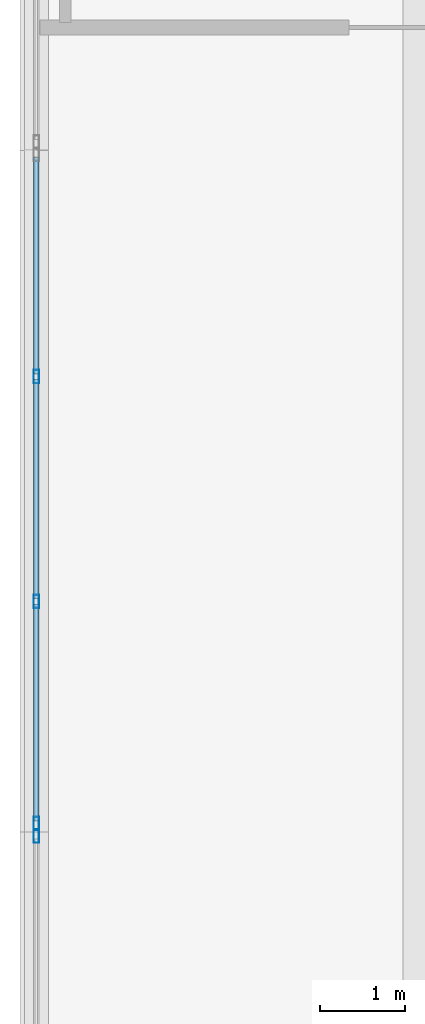
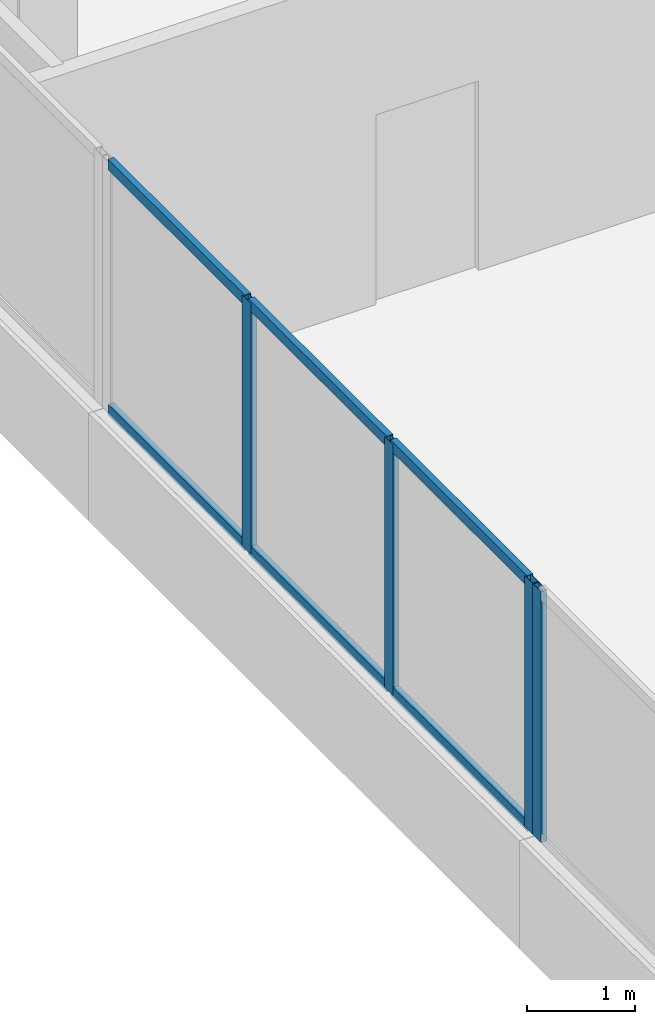
# One storey, part 4 of 66: 10 members, 2 elements without a shape of their own.
"""IFC4 building model written with IfcOpenShell, lengths in metres."""

from ifc_helpers import new_model, si_unit, direction, frame, origin, origin_2d, place, context, subcontext, project, spatial, hollow_rectangle, extrude, material, material_profile, profile_set, type_object, element, aggregate, save


model = new_model("IFC4")

# Units and contexts
model_context = context("Model", 3, precision=1e-05, world=origin(), true_north=direction((0.0, 1.0)))
body_context = subcontext(model_context, "Body", "Model", "MODEL_VIEW")
ifc_project = project(units=[si_unit("LENGTHUNIT", "METRE"), si_unit("AREAUNIT", "SQUARE_METRE"), si_unit("VOLUMEUNIT", "CUBIC_METRE"), si_unit("PLANEANGLEUNIT", "RADIAN"), si_unit("MASSUNIT", "GRAM", prefix="KILO")], contexts=[model_context])

# Site, building, storey
site_placement = place(None, origin())
site = spatial("IfcSite", under=ifc_project, at=site_placement, CompositionType="ELEMENT")
building_placement = place(site_placement, origin())
building = spatial("IfcBuilding", under=site, at=building_placement, Name="Selatvlak General Hospital", CompositionType="ELEMENT")
storey_placement = place(building_placement, frame((0.0, 0.0, 31.35009765625)))
storey = spatial("IfcBuildingStorey", under=building, at=storey_placement, Name="L07", CompositionType="ELEMENT", Elevation=31.35009765625)

# Curtain wall, member
ifc_material_1 = material(Name="Solar-control Low-E double glazing", Category="glass")
curtain_wall_type_1 = type_object("IfcCurtainWallType", Name="CW-CW-01", PredefinedType="USERDEFINED", material=ifc_material_1)
curtain_wall_1_placement = place(storey_placement, origin())
curtain_wall_1 = element("IfcCurtainWall", 1, at=curtain_wall_1_placement, inside=storey, type_object=curtain_wall_type_1, Name="Glazed facade curtain wall CW-L07-0639", ObjectType="UNITISED CURTAIN WALL", PredefinedType="USERDEFINED")
ifc_material_2 = material(Name="Dark anodised aluminium mullion", Category="aluminium")
ifc_material_profile_1 = material_profile(ifc_material_2, hollow_rectangle(XDim=0.06494140625, YDim=0.159912109375, WallThickness=0.00390625, at=origin_2d()), Name="AL-MUL 65x160x4")
ifc_profile_set_1 = profile_set([ifc_material_profile_1], Name="Dark anodised aluminium mullion")
member_type_1 = type_object("IfcMemberType", Name="CWM-01", PredefinedType="MULLION", material=ifc_profile_set_1)
member_1_placement = place(storey_placement, frame((22.800048828125, 95.952392578125, 0.93994140625), z_axis=(0.0, 0.0, 1.0), x_axis=(-1.0, 0.0, 0.0)))
member_1 = element("IfcMember", 2, at=member_1_placement, type_object=member_type_1, Name="CW-01 mullion 4", PredefinedType="MULLION", context=body_context, shape_type="SweptSolid", body=[
    extrude(hollow_rectangle(XDim=0.06494140625, YDim=0.159912109375, WallThickness=0.00390625, at=origin_2d()), origin(), (0.0, 0.0, 1.0), 2.844970703125),
])
aggregate(curtain_wall_1, [member_1])

# Curtain wall, members
curtain_wall_type_2 = type_object("IfcCurtainWallType", Name="CW-CW-02", PredefinedType="USERDEFINED", material=ifc_material_1)
curtain_wall_2_placement = place(storey_placement, origin())
curtain_wall_2 = element("IfcCurtainWall", 3, at=curtain_wall_2_placement, inside=storey, type_object=curtain_wall_type_2, Name="Glazed facade curtain wall CW-L07-0640", ObjectType="UNITISED CURTAIN WALL", PredefinedType="USERDEFINED")
member_2_placement = place(storey_placement, frame((22.800048828125, 96.097412109375, 0.93994140625), z_axis=(0.0, 0.0, 1.0), x_axis=(-1.0, 0.0, 0.0)))
member_2 = element("IfcMember", 4, at=member_2_placement, type_object=member_type_1, Name="CW-02 mullion 1", PredefinedType="MULLION", context=body_context, shape_type="SweptSolid", body=[
    extrude(hollow_rectangle(XDim=0.06494140625, YDim=0.159912109375, WallThickness=0.00390625, at=origin_2d()), origin(), (0.0, 0.0, 1.0), 2.844970703125),
])
member_3_placement = place(storey_placement, frame((22.800048828125, 98.70458984375, 0.93994140625), z_axis=(0.0, 0.0, 1.0), x_axis=(-1.0, 0.0, 0.0)))
member_3 = element("IfcMember", 5, at=member_3_placement, type_object=member_type_1, Name="CW-02 mullion 2", PredefinedType="MULLION", context=body_context, shape_type="SweptSolid", body=[
    extrude(hollow_rectangle(XDim=0.06494140625, YDim=0.159912109375, WallThickness=0.00390625, at=origin_2d()), origin(), (0.0, 0.0, 1.0), 2.844970703125),
])
member_4_placement = place(storey_placement, frame((22.800048828125, 101.34423828125, 0.93994140625), z_axis=(0.0, 0.0, 1.0), x_axis=(-1.0, 0.0, 0.0)))
member_4 = element("IfcMember", 6, at=member_4_placement, type_object=member_type_1, Name="CW-02 mullion 3", PredefinedType="MULLION", context=body_context, shape_type="SweptSolid", body=[
    extrude(hollow_rectangle(XDim=0.06494140625, YDim=0.159912109375, WallThickness=0.00390625, at=origin_2d()), origin(), (0.0, 0.0, 1.0), 2.844970703125),
])
ifc_material_profile_2 = material_profile(ifc_material_2, hollow_rectangle(XDim=0.06494140625, YDim=0.1201171875, WallThickness=0.00390625, at=origin_2d()), Name="AL-TRN 65x120x4")
ifc_profile_set_2 = profile_set([ifc_material_profile_2], Name="Dark anodised aluminium mullion")
member_type_2 = type_object("IfcMemberType", Name="CWT-01", PredefinedType="USERDEFINED", material=ifc_profile_set_2)
member_5_placement = place(storey_placement, frame((22.800048828125, 96.1298828125, 0.972412109375), z_axis=(0.0, 1.0, 0.0), x_axis=(-1.0, 0.0, 0.0)))
member_5 = element("IfcMember", 7, at=member_5_placement, type_object=member_type_2, Name="CW-02 transom 1.1", ObjectType="TRANSOM", PredefinedType="USERDEFINED", context=body_context, shape_type="SweptSolid", body=[
    extrude(hollow_rectangle(XDim=0.06494140625, YDim=0.1201171875, WallThickness=0.00390625, at=origin_2d()), origin(), (0.0, 0.0, 1.0), 2.542236328125),
])
member_6_placement = place(storey_placement, frame((22.800048828125, 96.1298828125, 3.75244140625), z_axis=(0.0, 1.0, 0.0), x_axis=(-1.0, 0.0, 0.0)))
member_6 = element("IfcMember", 8, at=member_6_placement, type_object=member_type_2, Name="CW-02 transom 1.2", ObjectType="TRANSOM", PredefinedType="USERDEFINED", context=body_context, shape_type="SweptSolid", body=[
    extrude(hollow_rectangle(XDim=0.06494140625, YDim=0.1201171875, WallThickness=0.00390625, at=origin_2d()), origin(), (0.0, 0.0, 1.0), 2.542236328125),
])
member_7_placement = place(storey_placement, frame((22.800048828125, 98.737060546875, 0.972412109375), z_axis=(0.0, 1.0, 0.0), x_axis=(-1.0, 0.0, 0.0)))
member_7 = element("IfcMember", 9, at=member_7_placement, type_object=member_type_2, Name="CW-02 transom 2.1", ObjectType="TRANSOM", PredefinedType="USERDEFINED", context=body_context, shape_type="SweptSolid", body=[
    extrude(hollow_rectangle(XDim=0.06494140625, YDim=0.1201171875, WallThickness=0.00390625, at=origin_2d()), origin(), (0.0, 0.0, 1.0), 2.57470703125),
])
member_8_placement = place(storey_placement, frame((22.800048828125, 98.737060546875, 3.75244140625), z_axis=(0.0, 1.0, 0.0), x_axis=(-1.0, 0.0, 0.0)))
member_8 = element("IfcMember", 10, at=member_8_placement, type_object=member_type_2, Name="CW-02 transom 2.2", ObjectType="TRANSOM", PredefinedType="USERDEFINED", context=body_context, shape_type="SweptSolid", body=[
    extrude(hollow_rectangle(XDim=0.06494140625, YDim=0.1201171875, WallThickness=0.00390625, at=origin_2d()), origin(), (0.0, 0.0, 1.0), 2.57470703125),
])
member_9_placement = place(storey_placement, frame((22.800048828125, 101.376953125, 0.972412109375), z_axis=(0.0, 1.0, 0.0), x_axis=(-1.0, 0.0, 0.0)))
member_9 = element("IfcMember", 11, at=member_9_placement, type_object=member_type_2, Name="CW-02 transom 3.1", ObjectType="TRANSOM", PredefinedType="USERDEFINED", context=body_context, shape_type="SweptSolid", body=[
    extrude(hollow_rectangle(XDim=0.06494140625, YDim=0.1201171875, WallThickness=0.00390625, at=origin_2d()), origin(), (0.0, 0.0, 1.0), 2.5419921875),
])
member_10_placement = place(storey_placement, frame((22.800048828125, 101.376953125, 3.75244140625), z_axis=(0.0, 1.0, 0.0), x_axis=(-1.0, 0.0, 0.0)))
member_10 = element("IfcMember", 12, at=member_10_placement, type_object=member_type_2, Name="CW-02 transom 3.2", ObjectType="TRANSOM", PredefinedType="USERDEFINED", context=body_context, shape_type="SweptSolid", body=[
    extrude(hollow_rectangle(XDim=0.06494140625, YDim=0.1201171875, WallThickness=0.00390625, at=origin_2d()), origin(), (0.0, 0.0, 1.0), 2.5419921875),
])
aggregate(curtain_wall_2, [member_2, member_3, member_4, member_5, member_6, member_7, member_8, member_9, member_10])

save(model, "model.ifc")
